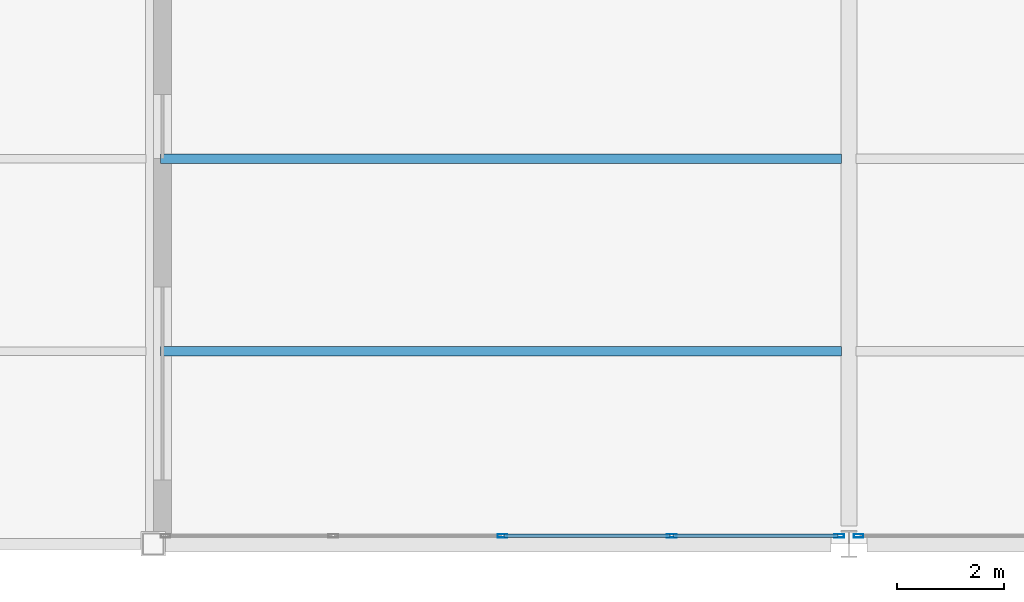
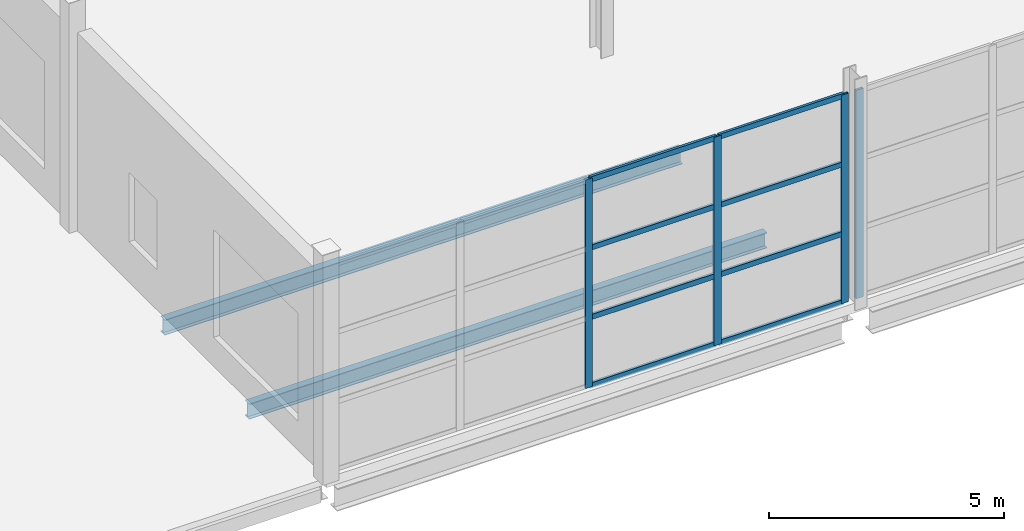
# One storey, part 131 of 191: 12 members, 2 beams, 2 elements without a shape of their own.
"""IFC4 building model written with IfcOpenShell, lengths in metres."""

from ifc_helpers import new_model, si_unit, direction, frame, origin, origin_2d, place, context, subcontext, project, spatial, hollow_rectangle, i_section, extrude, material, layer, layer_set, material_profile, profile_set, type_object, element, aggregate, save


model = new_model("IFC4")

# Units and contexts
model_context = context("Model", 3, precision=1e-05, world=origin(), true_north=direction((0.0, 1.0)))
body_context = subcontext(model_context, "Body", "Model", "MODEL_VIEW")
ifc_project = project(units=[si_unit("LENGTHUNIT", "METRE"), si_unit("AREAUNIT", "SQUARE_METRE"), si_unit("VOLUMEUNIT", "CUBIC_METRE"), si_unit("PLANEANGLEUNIT", "RADIAN"), si_unit("MASSUNIT", "GRAM", prefix="KILO")], contexts=[model_context])

# Site, building, storey
site_placement = place(None, origin())
site = spatial("IfcSite", under=ifc_project, at=site_placement, CompositionType="ELEMENT")
building_placement = place(site_placement, origin())
building = spatial("IfcBuilding", under=site, at=building_placement, Name="Tamarisk Ironworks Central Station", CompositionType="ELEMENT")
storey_placement = place(building_placement, frame((0.0, 0.0, 6.60009765625)))
storey = spatial("IfcBuildingStorey", under=building, at=storey_placement, Name="L01", CompositionType="ELEMENT", Elevation=6.60009765625)

# Beams
ifc_material_1 = material(Name="Structural steel S355J2", Category="steel")
ifc_material_profile_1 = material_profile(ifc_material_1, i_section(OverallWidth=0.179931640625, OverallDepth=0.39990234375, WebThickness=0.008544921875, FlangeThickness=0.013427734375, at=origin_2d()), Name="IPE 400")
ifc_profile_set_1 = profile_set([ifc_material_profile_1], Name="Structural steel S355J2")
beam_type = type_object("IfcBeamType", Name="BM-B04", PredefinedType="BEAM", material=ifc_profile_set_1)
for number, where, z_axis, x_axis, name in (
    (1, (140.135009765625, 3.60009765625, -0.4501953125), (1.0, 0.0, 0.0), (0.0, 1.0, 0.0), "L01 secondary composite beam 0105"),
    (2, (140.135009765625, 7.199951171875, -0.4501953125), (1.0, 0.0, 0.0), (0.0, 1.0, 0.0), "L01 secondary composite beam 0106"),
):
    element("IfcBeam", number, at=place(storey_placement, frame(where, z_axis=z_axis, x_axis=x_axis)), inside=storey, type_object=beam_type, Name=name, PredefinedType="BEAM", context=body_context, shape_type="SweptSolid", body=[
        extrude(i_section(OverallWidth=0.179931640625, OverallDepth=0.39990234375, WebThickness=0.008544921875, FlangeThickness=0.013427734375, at=origin_2d()), origin(), (0.0, 0.0, 1.0), 12.72998046875),
    ])

# Curtain wall, members
ifc_material_2 = material(Name="Anodized aluminium alloy 6063-T6", Category="aluminium")
ifc_layer = layer(ifc_material_2, 0.179931640625)
ifc_layer_set = layer_set([ifc_layer], Name="Anodized aluminium alloy 6063-T6")
curtain_wall_type = type_object("IfcCurtainWallType", Name="CW-16", PredefinedType="USERDEFINED", material=ifc_layer_set)
curtain_wall_1_placement = place(storey_placement, origin())
curtain_wall_1 = element("IfcCurtainWall", 3, at=curtain_wall_1_placement, inside=storey, type_object=curtain_wall_type, Name="South-east annex L01 curtain wall 140", ObjectType="GLAZED CURTAIN WALL", PredefinedType="USERDEFINED")
ifc_material_profile_2 = material_profile(ifc_material_2, hollow_rectangle(XDim=0.06494140625, YDim=0.179931640625, WallThickness=0.00390625, at=origin_2d()), Name="ALUM 180x65")
ifc_profile_set_2 = profile_set([ifc_material_profile_2], Name="Anodized aluminium alloy 6063-T6")
member_type_1 = type_object("IfcMemberType", Name="CWM-02", PredefinedType="MULLION", material=ifc_profile_set_2)
member_1_placement = place(storey_placement, frame((146.52490234375, 0.14990234375, 0.0), z_axis=(0.0, 0.0, 1.0), x_axis=(0.0, 1.0, 0.0)))
member_1 = element("IfcMember", 4, at=member_1_placement, type_object=member_type_1, Name="CW16 mullion 3", PredefinedType="MULLION", context=body_context, shape_type="SweptSolid", body=[
    extrude(hollow_rectangle(XDim=0.06494140625, YDim=0.179931640625, WallThickness=0.00390625, at=origin_2d()), origin(), (0.0, 0.0, 1.0), 5.419921875),
])
member_2_placement = place(storey_placement, frame((149.6884765625, 0.14990234375, 0.0), z_axis=(0.0, 0.0, 1.0), x_axis=(0.0, 1.0, 0.0)))
member_2 = element("IfcMember", 5, at=member_2_placement, type_object=member_type_1, Name="CW16 mullion 4", PredefinedType="MULLION", context=body_context, shape_type="SweptSolid", body=[
    extrude(hollow_rectangle(XDim=0.06494140625, YDim=0.179931640625, WallThickness=0.00390625, at=origin_2d()), origin(), (0.0, 0.0, 1.0), 5.419921875),
])
member_3_placement = place(storey_placement, frame((152.819580078125, 0.14990234375, 0.0), z_axis=(0.0, 0.0, 1.0), x_axis=(0.0, 1.0, 0.0)))
member_3 = element("IfcMember", 6, at=member_3_placement, type_object=member_type_1, Name="CW16 mullion 5", PredefinedType="MULLION", context=body_context, shape_type="SweptSolid", body=[
    extrude(hollow_rectangle(XDim=0.06494140625, YDim=0.179931640625, WallThickness=0.00390625, at=origin_2d()), origin(), (0.0, 0.0, 1.0), 5.419921875),
])

# Curtain wall, member
curtain_wall_2_placement = place(storey_placement, origin())
curtain_wall_2 = element("IfcCurtainWall", 7, at=curtain_wall_2_placement, inside=storey, type_object=curtain_wall_type, Name="South-east annex L01 curtain wall 153", ObjectType="GLAZED CURTAIN WALL", PredefinedType="USERDEFINED")
member_4_placement = place(storey_placement, frame((153.180419921875, 0.14990234375, 0.0), z_axis=(0.0, 0.0, 1.0), x_axis=(0.0, 1.0, 0.0)))
member_4 = element("IfcMember", 8, at=member_4_placement, type_object=member_type_1, Name="CW16 mullion 1", PredefinedType="MULLION", context=body_context, shape_type="SweptSolid", body=[
    extrude(hollow_rectangle(XDim=0.06494140625, YDim=0.179931640625, WallThickness=0.00390625, at=origin_2d()), origin(), (0.0, 0.0, 1.0), 5.419921875),
])
aggregate(curtain_wall_2, [member_4])

# Member
ifc_material_profile_3 = material_profile(ifc_material_2, hollow_rectangle(XDim=0.06494140625, YDim=0.135009765625, WallThickness=0.00341796875, at=origin_2d()), Name="ALUM 135x65")
ifc_profile_set_3 = profile_set([ifc_material_profile_3], Name="Anodized aluminium alloy 6063-T6")
member_type_2 = type_object("IfcMemberType", Name="CWT-02", PredefinedType="USERDEFINED", material=ifc_profile_set_3)
member_5_placement = place(storey_placement, frame((146.553466796875, 0.14990234375, 0.032470703125), z_axis=(1.0, 0.0, 0.0), x_axis=(0.0, 1.0, 0.0)))
member_5 = element("IfcMember", 9, at=member_5_placement, type_object=member_type_2, Name="CW16 transom 3.1", ObjectType="TRANSOM", PredefinedType="USERDEFINED", context=body_context, shape_type="SweptSolid", body=[
    extrude(hollow_rectangle(XDim=0.06494140625, YDim=0.135009765625, WallThickness=0.00341796875, at=origin_2d()), origin(), (0.0, 0.0, 1.0), 3.1064453125),
])

member_6_placement = place(storey_placement, frame((146.553466796875, 0.14990234375, 1.806640625), z_axis=(1.0, 0.0, 0.0), x_axis=(0.0, 1.0, 0.0)))
member_6 = element("IfcMember", 10, at=member_6_placement, type_object=member_type_2, Name="CW16 transom 3.2", ObjectType="TRANSOM", PredefinedType="USERDEFINED", context=body_context, shape_type="SweptSolid", body=[
    extrude(hollow_rectangle(XDim=0.06494140625, YDim=0.135009765625, WallThickness=0.00341796875, at=origin_2d()), origin(), (0.0, 0.0, 1.0), 3.1064453125),
])

member_7_placement = place(storey_placement, frame((146.553466796875, 0.14990234375, 3.61328125), z_axis=(1.0, 0.0, 0.0), x_axis=(0.0, 1.0, 0.0)))
member_7 = element("IfcMember", 11, at=member_7_placement, type_object=member_type_2, Name="CW16 transom 3.3", ObjectType="TRANSOM", PredefinedType="USERDEFINED", context=body_context, shape_type="SweptSolid", body=[
    extrude(hollow_rectangle(XDim=0.06494140625, YDim=0.135009765625, WallThickness=0.00341796875, at=origin_2d()), origin(), (0.0, 0.0, 1.0), 3.1064453125),
])

member_8_placement = place(storey_placement, frame((146.553466796875, 0.14990234375, 5.387451171875), z_axis=(1.0, 0.0, 0.0), x_axis=(0.0, 1.0, 0.0)))
member_8 = element("IfcMember", 12, at=member_8_placement, type_object=member_type_2, Name="CW16 transom 3.4", ObjectType="TRANSOM", PredefinedType="USERDEFINED", context=body_context, shape_type="SweptSolid", body=[
    extrude(hollow_rectangle(XDim=0.06494140625, YDim=0.135009765625, WallThickness=0.00341796875, at=origin_2d()), origin(), (0.0, 0.0, 1.0), 3.1064453125),
])

member_9_placement = place(storey_placement, frame((149.717041015625, 0.14990234375, 0.032470703125), z_axis=(1.0, 0.0, 0.0), x_axis=(0.0, 1.0, 0.0)))
member_9 = element("IfcMember", 13, at=member_9_placement, type_object=member_type_2, Name="CW16 transom 4.1", ObjectType="TRANSOM", PredefinedType="USERDEFINED", context=body_context, shape_type="SweptSolid", body=[
    extrude(hollow_rectangle(XDim=0.06494140625, YDim=0.135009765625, WallThickness=0.00341796875, at=origin_2d()), origin(), (0.0, 0.0, 1.0), 3.073974609375),
])

member_10_placement = place(storey_placement, frame((149.717041015625, 0.14990234375, 1.806640625), z_axis=(1.0, 0.0, 0.0), x_axis=(0.0, 1.0, 0.0)))
member_10 = element("IfcMember", 14, at=member_10_placement, type_object=member_type_2, Name="CW16 transom 4.2", ObjectType="TRANSOM", PredefinedType="USERDEFINED", context=body_context, shape_type="SweptSolid", body=[
    extrude(hollow_rectangle(XDim=0.06494140625, YDim=0.135009765625, WallThickness=0.00341796875, at=origin_2d()), origin(), (0.0, 0.0, 1.0), 3.073974609375),
])

member_11_placement = place(storey_placement, frame((149.717041015625, 0.14990234375, 3.61328125), z_axis=(1.0, 0.0, 0.0), x_axis=(0.0, 1.0, 0.0)))
member_11 = element("IfcMember", 15, at=member_11_placement, type_object=member_type_2, Name="CW16 transom 4.3", ObjectType="TRANSOM", PredefinedType="USERDEFINED", context=body_context, shape_type="SweptSolid", body=[
    extrude(hollow_rectangle(XDim=0.06494140625, YDim=0.135009765625, WallThickness=0.00341796875, at=origin_2d()), origin(), (0.0, 0.0, 1.0), 3.073974609375),
])

member_12_placement = place(storey_placement, frame((149.717041015625, 0.14990234375, 5.387451171875), z_axis=(1.0, 0.0, 0.0), x_axis=(0.0, 1.0, 0.0)))
member_12 = element("IfcMember", 16, at=member_12_placement, type_object=member_type_2, Name="CW16 transom 4.4", ObjectType="TRANSOM", PredefinedType="USERDEFINED", context=body_context, shape_type="SweptSolid", body=[
    extrude(hollow_rectangle(XDim=0.06494140625, YDim=0.135009765625, WallThickness=0.00341796875, at=origin_2d()), origin(), (0.0, 0.0, 1.0), 3.073974609375),
])

aggregate(curtain_wall_1, [member_1, member_2, member_3, member_5, member_6, member_7, member_8, member_9, member_10, member_11, member_12])

save(model, "model.ifc")
